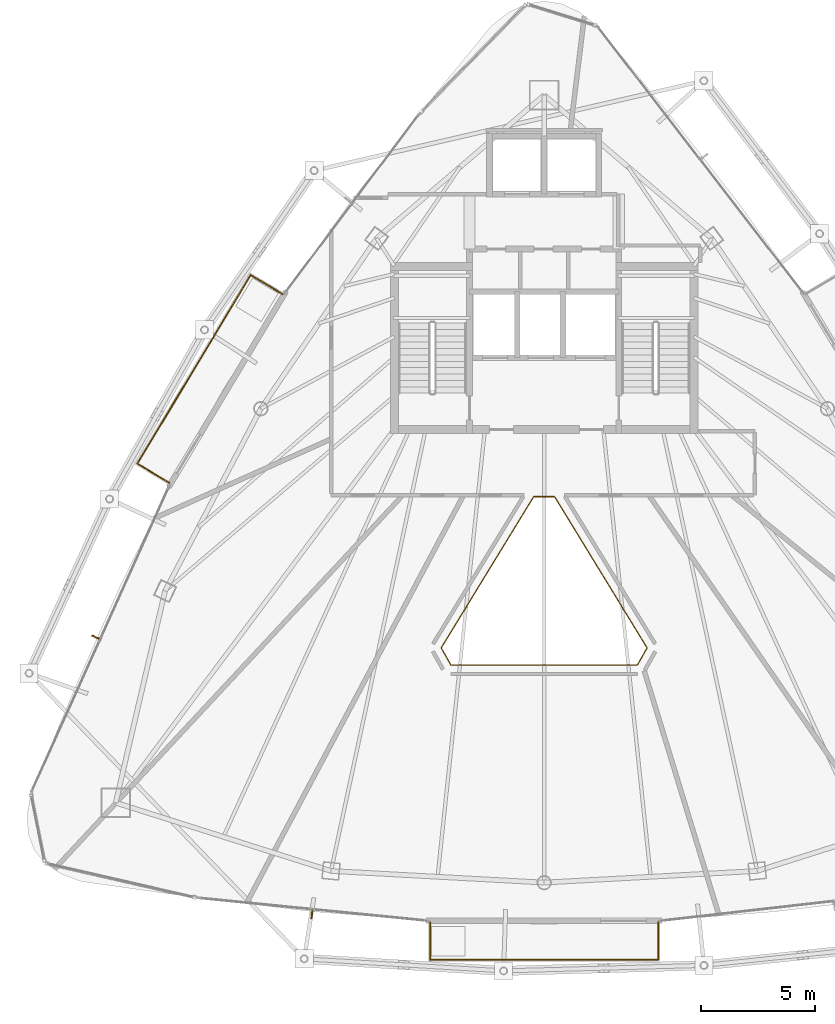
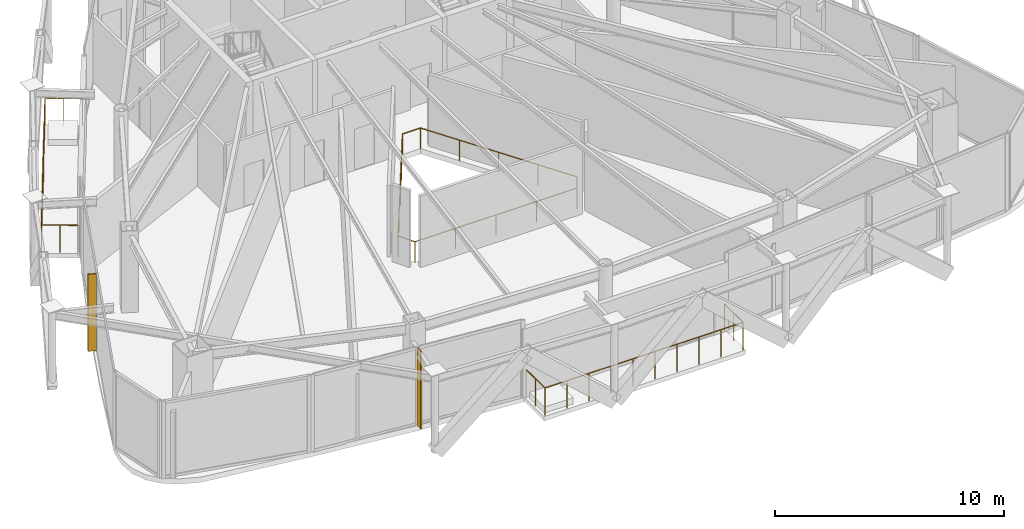
# One storey, part 23 of 25: 3 railings, 2 shading devices.
"""IFC4 building model written with IfcOpenShell, lengths in metres."""

from ifc_helpers import new_model, si_unit, direction, frame, origin, origin_2d, place, context, subcontext, project, spatial, rectangle, circle, extrude, material, layer, layer_set, type_object, element, save


model = new_model("IFC4")

# Units and contexts
model_context = context("Model", 3, precision=1e-05, world=origin(), true_north=direction((0.0, 1.0)))
body_context = subcontext(model_context, "Body", "Model", "MODEL_VIEW")
ifc_project = project(units=[si_unit("LENGTHUNIT", "METRE"), si_unit("AREAUNIT", "SQUARE_METRE"), si_unit("VOLUMEUNIT", "CUBIC_METRE"), si_unit("PLANEANGLEUNIT", "RADIAN"), si_unit("MASSUNIT", "GRAM", prefix="KILO")], contexts=[model_context])

# Site, building, storey
site_placement = place(None, origin())
site = spatial("IfcSite", under=ifc_project, at=site_placement, CompositionType="ELEMENT")
building_placement = place(site_placement, origin())
building = spatial("IfcBuilding", under=site, at=building_placement, Name="Orvanel Arch Residences", CompositionType="ELEMENT")
storey_placement = place(building_placement, frame((0.0, 0.0, 236.0)))
storey = spatial("IfcBuildingStorey", under=building, at=storey_placement, Name="L67", CompositionType="ELEMENT", Elevation=236.0)

# Shading devices
ifc_material = material(Name="Bronze-anodised aluminium AA6063-T6", Category="aluminium")
ifc_layer = layer(ifc_material, 0.06005859375)
ifc_layer_set = layer_set([ifc_layer], Name="Bronze-anodised aluminium AA6063-T6")
shading_device_type = type_object("IfcShadingDeviceType", Name="FIN-BRZ-380", PredefinedType="USERDEFINED", material=ifc_layer_set)
for number, where, z_axis, x_axis, name in (
    (1, (13.322021484375, 17.613037109375, 0.0), (0.0, 0.0, 1.0), (-0.911403276635, 0.411514358605, 0.0), "L67 Anodised Bronze Mullion FIN 01"),
    (2, (22.81201171875, 5.451904296875, 0.0), (0.0, 0.0, 1.0), (-0.099319749744, -0.995055569961, 0.0), "L67 Anodised Bronze Mullion FIN 01"),
):
    element("IfcShadingDevice", number, at=place(storey_placement, frame(where, z_axis=z_axis, x_axis=x_axis)), inside=storey, type_object=shading_device_type, Name=name, ObjectType="FIN", PredefinedType="USERDEFINED", context=body_context, shape_type="SweptSolid", body=[
        extrude(rectangle(XDim=0.3798828125, YDim=0.06005859375, at=origin_2d()), origin(), (0.0, 0.0, 1.0), 4.110107421875),
    ])

# Railings
railing_type_1 = type_object("IfcRailingType", Name="RL-ATR-1120", PredefinedType="BALUSTRADE", material=ifc_material)
railing_1_placement = place(storey_placement, frame((33.45703125, 23.777099609375, 0.0)))
element("IfcRailing", 3, at=railing_1_placement, inside=storey, type_object=railing_type_1, Name="L67 Atrium Void Protective Balustrade", PredefinedType="BALUSTRADE", context=body_context, shape_type="SweptSolid", body=[
    extrude(circle(Radius=0.02392578125, at=origin_2d()), frame((-0.00146484375, 0.0, 1.09619140625), z_axis=(-1.0, 0.0, 0.0), x_axis=(0.0, -1.0, 0.0)), (0.0, 0.0, 1.0), 0.9111328125),
    extrude(circle(Radius=0.02392578125, at=origin_2d()), frame((-0.914794921875, -0.001220703125, 1.09619140625), z_axis=(-0.521636744346, -0.853167689817, 0.0), x_axis=(0.853167689817, -0.521636744346, 0.0)), (0.0, 0.0, 1.0), 7.7705078125),
    extrude(circle(Radius=0.02392578125, at=origin_2d()), frame((-4.96826171875, -6.63330078125, 1.09619140625), z_axis=(0.489504385341, -0.872000835282, 0.0), x_axis=(0.872000835282, 0.489504385341, 0.0)), (0.0, 0.0, 1.0), 0.854736328125),
    extrude(circle(Radius=0.02392578125, at=origin_2d()), frame((-4.547607421875, -7.380126953125, 1.09619140625), z_axis=(1.0, 0.0, 0.0), x_axis=(0.0, 1.0, 0.0)), (0.0, 0.0, 1.0), 8.18115234375),
    extrude(circle(Radius=0.02392578125, at=origin_2d()), frame((3.6357421875, -7.37890625, 1.09619140625), z_axis=(0.489504385341, 0.872000835282, 0.0), x_axis=(-0.872000835282, 0.489504385341, 0.0)), (0.0, 0.0, 1.0), 0.854736328125),
    extrude(circle(Radius=0.02392578125, at=origin_2d()), frame((4.05419921875, -6.630859375, 1.09619140625), z_axis=(-0.521636744346, 0.853167689817, 0.0), x_axis=(-0.853167689817, -0.521636744346, 0.0)), (0.0, 0.0, 1.0), 7.7705078125),
    extrude(circle(Radius=0.02099609375, at=origin_2d()), origin(), (0.0, 0.0, 1.0), 1.070068359375),
    extrude(circle(Radius=0.02099609375, at=origin_2d()), frame((-0.9140625, 0.0, 0.0)), (0.0, 0.0, 1.0), 1.070068359375),
    extrude(circle(Radius=0.02099609375, at=origin_2d()), frame((-1.927734375, -1.657958984375, 0.0)), (0.0, 0.0, 1.0), 1.070068359375),
    extrude(circle(Radius=0.02099609375, at=origin_2d()), frame((-2.94140625, -3.31591796875, 0.0)), (0.0, 0.0, 1.0), 1.070068359375),
    extrude(circle(Radius=0.02099609375, at=origin_2d()), frame((-3.955322265625, -4.97412109375, 0.0)), (0.0, 0.0, 1.0), 1.070068359375),
    extrude(circle(Radius=0.02099609375, at=origin_2d()), frame((-4.968994140625, -6.632080078125, 0.0)), (0.0, 0.0, 1.0), 1.070068359375),
    extrude(circle(Radius=0.02099609375, at=origin_2d()), frame((-4.549072265625, -7.380126953125, 0.0)), (0.0, 0.0, 1.0), 1.070068359375),
    extrude(circle(Radius=0.02099609375, at=origin_2d()), frame((-2.5029296875, -7.380126953125, 0.0)), (0.0, 0.0, 1.0), 1.070068359375),
    extrude(circle(Radius=0.02099609375, at=origin_2d()), frame((-0.45703125, -7.380126953125, 0.0)), (0.0, 0.0, 1.0), 1.070068359375),
    extrude(circle(Radius=0.02099609375, at=origin_2d()), frame((1.5888671875, -7.380126953125, 0.0)), (0.0, 0.0, 1.0), 1.070068359375),
    extrude(circle(Radius=0.02099609375, at=origin_2d()), frame((3.635009765625, -7.380126953125, 0.0)), (0.0, 0.0, 1.0), 1.070068359375),
    extrude(circle(Radius=0.02099609375, at=origin_2d()), frame((4.054931640625, -6.632080078125, 0.0)), (0.0, 0.0, 1.0), 1.070068359375),
    extrude(circle(Radius=0.02099609375, at=origin_2d()), frame((3.041259765625, -4.97412109375, 0.0)), (0.0, 0.0, 1.0), 1.070068359375),
    extrude(circle(Radius=0.02099609375, at=origin_2d()), frame((2.02734375, -3.31591796875, 0.0)), (0.0, 0.0, 1.0), 1.070068359375),
    extrude(circle(Radius=0.02099609375, at=origin_2d()), frame((1.013671875, -1.657958984375, 0.0)), (0.0, 0.0, 1.0), 1.070068359375),
])
railing_type_2 = type_object("IfcRailingType", Name="RL-BAL-1480", PredefinedType="BALUSTRADE", material=ifc_material)
railing_2_placement = place(storey_placement, frame((21.52587890625, 32.6650390625, 0.0)))
element("IfcRailing", 4, at=railing_2_placement, inside=storey, type_object=railing_type_2, Name="L67 Balcony Perimeter Guardrail Face 1", PredefinedType="BALUSTRADE", context=body_context, shape_type="SweptSolid", body=[
    extrude(circle(Radius=0.02392578125, at=origin_2d()), frame((-0.001220703125, 0.000732421875, 1.4560546875), z_axis=(-0.857348374301, 0.51473659777, 0.0), x_axis=(-0.51473659777, -0.857348374301, 0.0)), (0.0, 0.0, 1.0), 1.63671875),
    extrude(circle(Radius=0.02392578125, at=origin_2d()), frame((-1.406494140625, 0.8427734375, 1.4560546875), z_axis=(-0.514361929684, -0.857573206958, 0.0), x_axis=(0.857573206958, -0.514361929684, 0.0)), (0.0, 0.0, 1.0), 9.655517578125),
    extrude(circle(Radius=0.02392578125, at=origin_2d()), frame((-6.37255859375, -7.439697265625, 1.4560546875), z_axis=(0.857545439568, -0.514408222208, 0.0), x_axis=(0.514408222208, 0.857545439568, 0.0)), (0.0, 0.0, 1.0), 1.6376953125),
    extrude(circle(Radius=0.02099609375, at=origin_2d()), origin(), (0.0, 0.0, 1.0), 1.429931640625),
    extrude(circle(Radius=0.02099609375, at=origin_2d()), frame((-0.702880859375, 0.421875, 0.0)), (0.0, 0.0, 1.0), 1.429931640625),
    extrude(circle(Radius=0.02099609375, at=origin_2d()), frame((-1.40576171875, 0.843994140625, 0.0)), (0.0, 0.0, 1.0), 1.429931640625),
    extrude(circle(Radius=0.02099609375, at=origin_2d()), frame((-1.957763671875, -0.076416015625, 0.0)), (0.0, 0.0, 1.0), 1.429931640625),
    extrude(circle(Radius=0.02099609375, at=origin_2d()), frame((-2.509765625, -0.99658203125, 0.0)), (0.0, 0.0, 1.0), 1.429931640625),
    extrude(circle(Radius=0.02099609375, at=origin_2d()), frame((-3.061767578125, -1.9169921875, 0.0)), (0.0, 0.0, 1.0), 1.429931640625),
    extrude(circle(Radius=0.02099609375, at=origin_2d()), frame((-3.61376953125, -2.83740234375, 0.0)), (0.0, 0.0, 1.0), 1.429931640625),
    extrude(circle(Radius=0.02099609375, at=origin_2d()), frame((-4.165771484375, -3.757568359375, 0.0)), (0.0, 0.0, 1.0), 1.429931640625),
    extrude(circle(Radius=0.02099609375, at=origin_2d()), frame((-4.7177734375, -4.677978515625, 0.0)), (0.0, 0.0, 1.0), 1.429931640625),
    extrude(circle(Radius=0.02099609375, at=origin_2d()), frame((-5.269775390625, -5.598388671875, 0.0)), (0.0, 0.0, 1.0), 1.429931640625),
    extrude(circle(Radius=0.02099609375, at=origin_2d()), frame((-5.82177734375, -6.5185546875, 0.0)), (0.0, 0.0, 1.0), 1.429931640625),
    extrude(circle(Radius=0.02099609375, at=origin_2d()), frame((-6.373779296875, -7.43896484375, 0.0)), (0.0, 0.0, 1.0), 1.429931640625),
    extrude(circle(Radius=0.02099609375, at=origin_2d()), frame((-5.67041015625, -7.86083984375, 0.0)), (0.0, 0.0, 1.0), 1.429931640625),
    extrude(circle(Radius=0.02099609375, at=origin_2d()), frame((-4.966796875, -8.282958984375, 0.0)), (0.0, 0.0, 1.0), 1.429931640625),
])
railing_3_placement = place(storey_placement, frame((27.9970703125, 5.10400390625, 0.0)))
element("IfcRailing", 5, at=railing_3_placement, inside=storey, type_object=railing_type_2, Name="L67 Balcony Perimeter Guardrail Face 2", PredefinedType="BALUSTRADE", context=body_context, shape_type="SweptSolid", body=[
    extrude(circle(Radius=0.02392578125, at=origin_2d()), frame((0.0, -0.00146484375, 1.4560546875), z_axis=(0.0, -1.0, 0.0), x_axis=(1.0, 0.0, 0.0)), (0.0, 0.0, 1.0), 1.636962890625),
    extrude(circle(Radius=0.02392578125, at=origin_2d()), frame((0.00146484375, -1.639892578125, 1.4560546875), z_axis=(1.0, 0.0, 0.0), x_axis=(0.0, 1.0, 0.0)), (0.0, 0.0, 1.0), 10.0029296875),
    extrude(circle(Radius=0.02392578125, at=origin_2d()), frame((10.005859375, -1.638427734375, 1.4560546875), z_axis=(0.0, 1.0, 0.0), x_axis=(-1.0, 0.0, 0.0)), (0.0, 0.0, 1.0), 1.636962890625),
    extrude(circle(Radius=0.02099609375, at=origin_2d()), origin(), (0.0, 0.0, 1.0), 1.429931640625),
    extrude(circle(Radius=0.02099609375, at=origin_2d()), frame((0.0, -0.81982421875, 0.0)), (0.0, 0.0, 1.0), 1.429931640625),
    extrude(circle(Radius=0.02099609375, at=origin_2d()), frame((0.0, -1.639892578125, 0.0)), (0.0, 0.0, 1.0), 1.429931640625),
    extrude(circle(Radius=0.02099609375, at=origin_2d()), frame((1.11181640625, -1.639892578125, 0.0)), (0.0, 0.0, 1.0), 1.429931640625),
    extrude(circle(Radius=0.02099609375, at=origin_2d()), frame((2.2236328125, -1.639892578125, 0.0)), (0.0, 0.0, 1.0), 1.429931640625),
    extrude(circle(Radius=0.02099609375, at=origin_2d()), frame((3.335205078125, -1.639892578125, 0.0)), (0.0, 0.0, 1.0), 1.429931640625),
    extrude(circle(Radius=0.02099609375, at=origin_2d()), frame((4.447021484375, -1.639892578125, 0.0)), (0.0, 0.0, 1.0), 1.429931640625),
    extrude(circle(Radius=0.02099609375, at=origin_2d()), frame((5.558837890625, -1.639892578125, 0.0)), (0.0, 0.0, 1.0), 1.429931640625),
    extrude(circle(Radius=0.02099609375, at=origin_2d()), frame((6.670654296875, -1.639892578125, 0.0)), (0.0, 0.0, 1.0), 1.429931640625),
    extrude(circle(Radius=0.02099609375, at=origin_2d()), frame((7.7822265625, -1.639892578125, 0.0)), (0.0, 0.0, 1.0), 1.429931640625),
    extrude(circle(Radius=0.02099609375, at=origin_2d()), frame((8.89404296875, -1.639892578125, 0.0)), (0.0, 0.0, 1.0), 1.429931640625),
    extrude(circle(Radius=0.02099609375, at=origin_2d()), frame((10.005859375, -1.639892578125, 0.0)), (0.0, 0.0, 1.0), 1.429931640625),
    extrude(circle(Radius=0.02099609375, at=origin_2d()), frame((10.005859375, -0.81982421875, 0.0)), (0.0, 0.0, 1.0), 1.429931640625),
    extrude(circle(Radius=0.02099609375, at=origin_2d()), frame((10.005859375, 0.0, 0.0)), (0.0, 0.0, 1.0), 1.429931640625),
])

save(model, "model.ifc")
